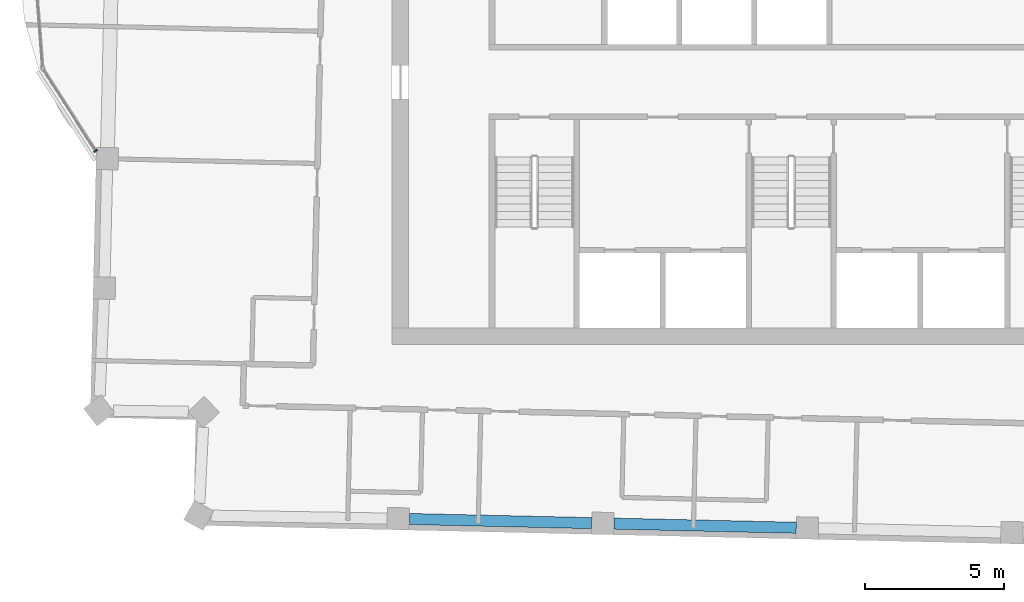
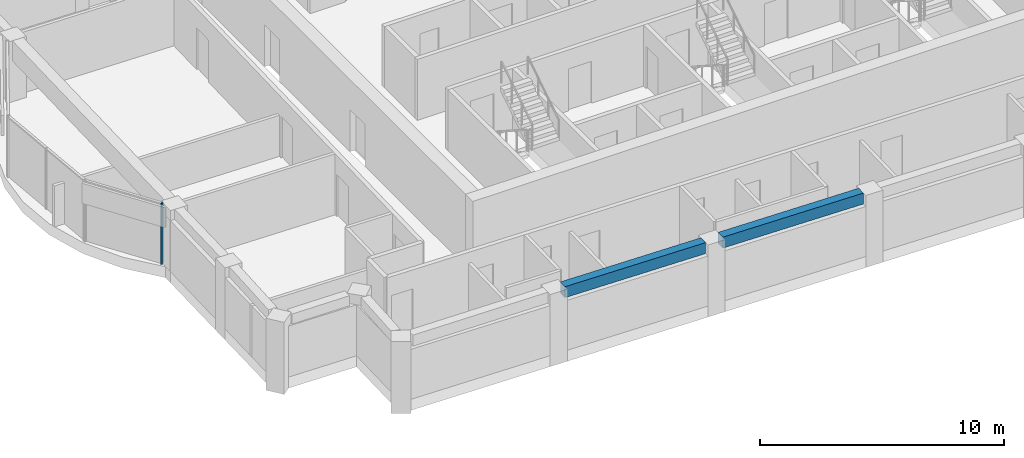
# One storey, part 2 of 12: 2 beams, 1 member, 1 element without a shape of its own.
"""IFC4 building model written with IfcOpenShell, lengths in metres."""

from ifc_helpers import new_model, si_unit, direction, frame, origin, origin_2d, place, context, subcontext, project, spatial, rectangle, extrude, material, material_profile, profile_set, type_object, element, aggregate, save


model = new_model("IFC4")

# Units and contexts
model_context = context("Model", 3, precision=1e-05, world=origin(), true_north=direction((0.0, 1.0)))
body_context = subcontext(model_context, "Body", "Model", "MODEL_VIEW")
ifc_project = project(units=[si_unit("LENGTHUNIT", "METRE"), si_unit("AREAUNIT", "SQUARE_METRE"), si_unit("VOLUMEUNIT", "CUBIC_METRE"), si_unit("PLANEANGLEUNIT", "RADIAN"), si_unit("MASSUNIT", "GRAM", prefix="KILO")], contexts=[model_context])

# Site, building, storey
site_placement = place(None, origin())
site = spatial("IfcSite", under=ifc_project, at=site_placement, CompositionType="ELEMENT")
building_placement = place(site_placement, origin())
building = spatial("IfcBuilding", under=site, at=building_placement, Name="Mangrove Gate Tower", CompositionType="ELEMENT")
storey_placement = place(building_placement, frame((0.0, 0.0, 342.5)))
storey = spatial("IfcBuildingStorey", under=building, at=storey_placement, Name="L87", CompositionType="ELEMENT", Elevation=342.5)

# Curtain wall, member
ifc_material_1 = material(Name="Aluminium and glass curtain wall", Category="aluminium")
curtain_wall_type = type_object("IfcCurtainWallType", Name="Crown garden glazing wall", PredefinedType="NOTDEFINED", material=ifc_material_1)
curtain_wall_placement = place(storey_placement, origin())
curtain_wall = element("IfcCurtainWall", 1, at=curtain_wall_placement, inside=storey, type_object=curtain_wall_type, Name="Crown garden glazing W9f3", PredefinedType="NOTDEFINED")
ifc_material_2 = material(Name="Aluminium alloy 6063-T6", Category="aluminium")
ifc_material_profile_1 = material_profile(ifc_material_2, rectangle(XDim=0.06005859375, YDim=0.139892578125, at=origin_2d()))
ifc_profile_set_1 = profile_set([ifc_material_profile_1], Name="Aluminium alloy 6063-T6")
member_type = type_object("IfcMemberType", Name="Crown garden glazing mullion 60x140", PredefinedType="MULLION", material=ifc_profile_set_1)
member_placement = place(storey_placement, frame((-25.070556640625, -4.42431640625, 0.0), z_axis=(0.0, 0.0, 1.0), x_axis=(0.540509640617, -0.841337820617, 0.0)))
member = element("IfcMember", 2, at=member_placement, type_object=member_type, Name="CWC mullion 2", PredefinedType="MULLION", context=body_context, shape_type="SweptSolid", body=[
    extrude(rectangle(XDim=0.06005859375, YDim=0.139892578125, at=origin_2d()), origin(), (0.0, 0.0, 1.0), 3.050048828125),
])
aggregate(curtain_wall, [member])

# Beams
ifc_material_3 = material(Name="Concrete C50/60", Category="concrete")
ifc_material_profile_2 = material_profile(ifc_material_3, rectangle(XDim=0.39990234375, YDim=0.550048828125, at=origin_2d()))
ifc_profile_set_2 = profile_set([ifc_material_profile_2], Name="Concrete C50/60")
beam_type = type_object("IfcBeamType", Name="Edge beam RC 400x550 C50/60", PredefinedType="BEAM", material=ifc_profile_set_2)
beam_1_placement = place(storey_placement, frame((-13.77490234375, -17.67919921875, 2.77490234375), z_axis=(0.99974281348, -0.022678335362, 0.0), x_axis=(0.022678335362, 0.99974281348, 0.0)))
element("IfcBeam", 3, at=beam_1_placement, inside=storey, type_object=beam_type, Name="Edge beam L87 05", PredefinedType="BEAM", context=body_context, shape_type="SweptSolid", body=[
    extrude(rectangle(XDim=0.39990234375, YDim=0.550048828125, at=origin_2d()), origin(), (0.0, 0.0, 1.0), 6.56689453125),
])
beam_2_placement = place(storey_placement, frame((-6.41015625, -17.84619140625, 2.77490234375), z_axis=(0.9997428326, -0.022677492484, 0.0), x_axis=(0.022677492484, 0.9997428326, 0.0)))
element("IfcBeam", 4, at=beam_2_placement, inside=storey, type_object=beam_type, Name="Edge beam L87 06", PredefinedType="BEAM", context=body_context, shape_type="SweptSolid", body=[
    extrude(rectangle(XDim=0.39990234375, YDim=0.550048828125, at=origin_2d()), origin(), (0.0, 0.0, 1.0), 6.567138671875),
])

save(model, "model.ifc")
